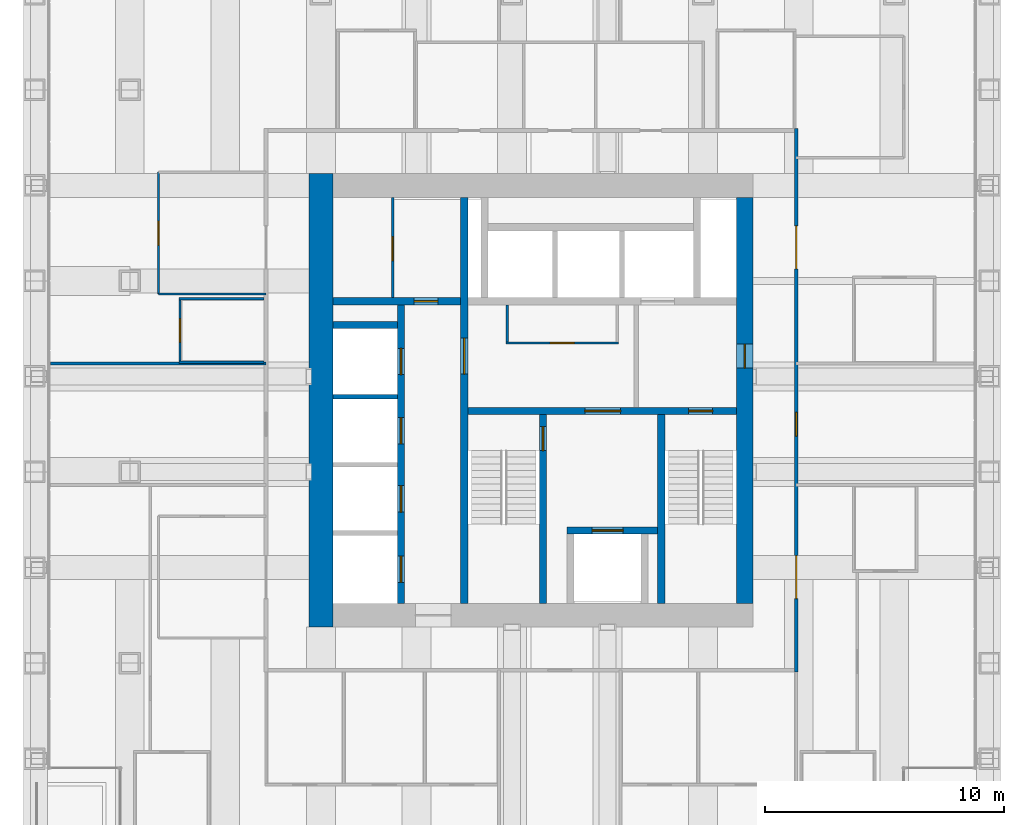
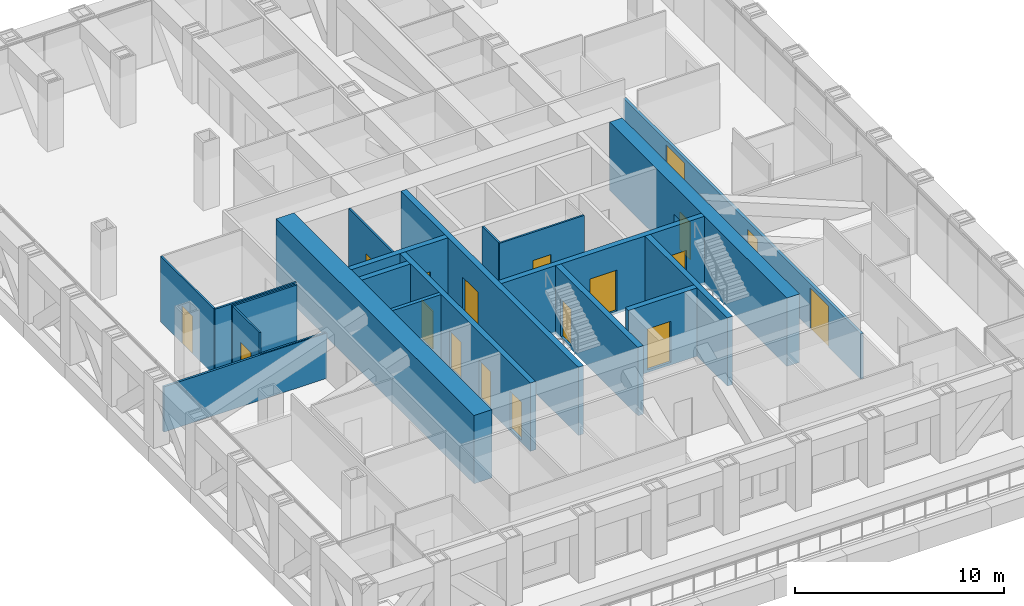
# One storey, part 11 of 16: 21 walls, 18 doors, 18 openings.
"""IFC4 building model written with IfcOpenShell, lengths in metres."""

from ifc_helpers import new_model, si_unit, direction, frame, frame_2d, origin, place, context, subcontext, project, spatial, rectangle, extrude, material, layer, layer_set, type_object, element, fill, save


model = new_model("IFC4")

# Units and contexts
model_context = context("Model", 3, precision=1e-05, world=origin(), true_north=direction((0.0, 1.0)))
body_context = subcontext(model_context, "Body", "Model", "MODEL_VIEW")
ifc_project = project(units=[si_unit("LENGTHUNIT", "METRE"), si_unit("AREAUNIT", "SQUARE_METRE"), si_unit("VOLUMEUNIT", "CUBIC_METRE"), si_unit("PLANEANGLEUNIT", "RADIAN"), si_unit("MASSUNIT", "GRAM", prefix="KILO")], contexts=[model_context])

# Site, building, storey
site_placement = place(None, origin())
site = spatial("IfcSite", under=ifc_project, at=site_placement, CompositionType="ELEMENT")
building_placement = place(site_placement, origin())
building = spatial("IfcBuilding", under=site, at=building_placement, Name="Rimbunsela Tower", CompositionType="ELEMENT")
storey_placement = place(building_placement, frame((0.0, 0.0, 171.800048828125)))
storey = spatial("IfcBuildingStorey", under=building, at=storey_placement, Name="L41", CompositionType="ELEMENT", Elevation=171.800048828125)

# Wall, opening, door
ifc_material_1 = material(Name="Concrete fc' 80 MPa", Category="concrete")
ifc_layer_1 = layer(ifc_material_1, 0.300048828125)
ifc_layer_set_1 = layer_set([ifc_layer_1], Name="Core internal wall 300")
wall_type_1 = type_object("IfcWallType", Name="Core internal wall 300", PredefinedType="SHEAR", material=ifc_layer_set_1)
wall_1_placement = place(storey_placement, frame((24.0, 18.5, -0.150146484375), z_axis=(0.0, 0.0, 1.0), x_axis=(0.0, 1.0, 0.0)))
wall_1 = element("IfcWall", 1, at=wall_1_placement, inside=storey, type_object=wall_type_1, Name="Core wall at stair A", PredefinedType="SHEAR", context=body_context, shape_type="SweptSolid", body=[
    extrude(rectangle(XDim=17.0, YDim=0.300048828125, at=frame_2d((8.5, 0.0))), origin(), (0.0, 0.0, 1.0), 4.0),
])
opening_1_placement = place(wall_1_placement, frame((9.60009765625, 0.0, 0.14990234375)))
opening_1 = element("IfcOpeningElement", 2, at=opening_1_placement, cuts=wall_1, Name="Opening D03", PredefinedType="OPENING", context=body_context, shape_type="SweptSolid", body=[
    extrude(rectangle(XDim=1.5, YDim=2.39990234375, at=frame_2d((0.75, 1.199951171875))), frame((0.0, 0.159912109375, 0.0), z_axis=(0.0, -1.0, 0.0), x_axis=(1.0, 0.0, 0.0)), (0.0, 0.0, 1.0), 0.320068359375),
])
ifc_material_2 = material(Name="Steel door, fire rated", Category="steel")
door_type_1 = type_object("IfcDoorType", Name="Core lobby door 1500", OperationType="DOUBLE_DOOR_DOUBLE_SWING", PredefinedType="DOOR", material=ifc_material_2)
door_1_placement = place(opening_1_placement, origin())
door_1 = element("IfcDoor", 3, at=door_1_placement, inside=storey, type_object=door_type_1, Name="West lobby door", OperationType="DOUBLE_DOOR_DOUBLE_SWING", OverallHeight=2.39990234375, OverallWidth=1.5, PredefinedType="DOOR", context=body_context, shape_type="SweptSolid", body=[
    extrude(rectangle(XDim=1.5, YDim=2.39990234375, at=frame_2d((0.75, 1.199951171875))), frame((0.0, 0.02490234375, 0.0), z_axis=(0.0, -1.0, 0.0), x_axis=(1.0, 0.0, 0.0)), (0.0, 0.0, 1.0), 0.050048828125),
])
fill(opening_1, door_1)

# Wall, openings, doors
wall_2_placement = place(storey_placement, frame((24.14990234375, 26.550048828125, -0.150146484375), z_axis=(0.0, 0.0, 1.0), x_axis=(1.0, 0.0, 0.0)))
wall_2 = element("IfcWall", 4, at=wall_2_placement, inside=storey, type_object=wall_type_1, Name="Core wall lobby south", PredefinedType="SHEAR", context=body_context, shape_type="SweptSolid", body=[
    extrude(rectangle(XDim=11.25, YDim=0.300048828125, at=frame_2d((5.625, 0.0))), origin(), (0.0, 0.0, 1.0), 4.0),
])
opening_2_placement = place(wall_2_placement, frame((9.25, 0.0, 0.14990234375)))
opening_2 = element("IfcOpeningElement", 5, at=opening_2_placement, cuts=wall_2, Name="Opening D01", PredefinedType="OPENING", context=body_context, shape_type="SweptSolid", body=[
    extrude(rectangle(XDim=1.0, YDim=2.199951171875, at=frame_2d((0.5, 1.10009765625))), frame((0.0, 0.159912109375, 0.0), z_axis=(0.0, -1.0, 0.0), x_axis=(1.0, 0.0, 0.0)), (0.0, 0.0, 1.0), 0.320068359375),
])
opening_3_placement = place(wall_2_placement, frame((4.89990234375, 0.0, 0.14990234375)))
opening_3 = element("IfcOpeningElement", 6, at=opening_3_placement, cuts=wall_2, Name="Opening D03", PredefinedType="OPENING", context=body_context, shape_type="SweptSolid", body=[
    extrude(rectangle(XDim=1.5, YDim=2.39990234375, at=frame_2d((0.75, 1.199951171875))), frame((0.0, 0.159912109375, 0.0), z_axis=(0.0, -1.0, 0.0), x_axis=(1.0, 0.0, 0.0)), (0.0, 0.0, 1.0), 0.320068359375),
])
door_2_placement = place(opening_3_placement, origin())
door_2 = element("IfcDoor", 7, at=door_2_placement, inside=storey, type_object=door_type_1, Name="Firefighting lobby door", OperationType="DOUBLE_DOOR_DOUBLE_SWING", OverallHeight=2.39990234375, OverallWidth=1.5, PredefinedType="DOOR", context=body_context, shape_type="SweptSolid", body=[
    extrude(rectangle(XDim=1.5, YDim=2.39990234375, at=frame_2d((0.75, 1.199951171875))), frame((0.0, 0.02490234375, 0.0), z_axis=(0.0, -1.0, 0.0), x_axis=(1.0, 0.0, 0.0)), (0.0, 0.0, 1.0), 0.050048828125),
])
fill(opening_3, door_2)
ifc_material_3 = material(Name="Steel door, fire rated", Category="steel")
door_type_2 = type_object("IfcDoorType", Name="Stair door 1000", OperationType="SINGLE_SWING_RIGHT", PredefinedType="DOOR", material=ifc_material_3)
door_3_placement = place(opening_2_placement, frame((1.0, 0.0, 0.0), z_axis=(0.0, 0.0, 1.0), x_axis=(-1.0, 0.0, 0.0)))
door_3 = element("IfcDoor", 8, at=door_3_placement, inside=storey, type_object=door_type_2, Name="Stair B door", OperationType="SINGLE_SWING_RIGHT", OverallHeight=2.199951171875, OverallWidth=1.0, PredefinedType="DOOR", context=body_context, shape_type="SweptSolid", body=[
    extrude(rectangle(XDim=1.0, YDim=2.199951171875, at=frame_2d((0.5, 1.10009765625))), frame((0.0, 0.02490234375, 0.0), z_axis=(0.0, -1.0, 0.0), x_axis=(1.0, 0.0, 0.0)), (0.0, 0.0, 1.0), 0.050048828125),
])
fill(opening_2, door_3)

# Wall, opening, door
wall_3_placement = place(storey_placement, frame((27.300048828125, 18.5, -0.150146484375), z_axis=(0.0, 0.0, 1.0), x_axis=(0.0, 1.0, 0.0)))
wall_3 = element("IfcWall", 9, at=wall_3_placement, inside=storey, type_object=wall_type_1, Name="Stair A enclosure", PredefinedType="SHEAR", context=body_context, shape_type="SweptSolid", body=[
    extrude(rectangle(XDim=7.89990234375, YDim=0.300048828125, at=frame_2d((3.949951171875, 0.0))), origin(), (0.0, 0.0, 1.0), 4.0),
])
opening_4_placement = place(wall_3_placement, frame((6.39990234375, 0.0, 0.14990234375)))
opening_4 = element("IfcOpeningElement", 10, at=opening_4_placement, cuts=wall_3, Name="Opening D01", PredefinedType="OPENING", context=body_context, shape_type="SweptSolid", body=[
    extrude(rectangle(XDim=1.0, YDim=2.199951171875, at=frame_2d((0.5, 1.10009765625))), frame((0.0, 0.159912109375, 0.0), z_axis=(0.0, -1.0, 0.0), x_axis=(1.0, 0.0, 0.0)), (0.0, 0.0, 1.0), 0.320068359375),
])
door_4_placement = place(opening_4_placement, origin())
door_4 = element("IfcDoor", 11, at=door_4_placement, inside=storey, type_object=door_type_2, Name="Stair A door", OperationType="SINGLE_SWING_RIGHT", OverallHeight=2.199951171875, OverallWidth=1.0, PredefinedType="DOOR", context=body_context, shape_type="SweptSolid", body=[
    extrude(rectangle(XDim=1.0, YDim=2.199951171875, at=frame_2d((0.5, 1.10009765625))), frame((0.0, 0.02490234375, 0.0), z_axis=(0.0, -1.0, 0.0), x_axis=(1.0, 0.0, 0.0)), (0.0, 0.0, 1.0), 0.050048828125),
])
fill(opening_4, door_4)

# Wall
wall_4_placement = place(storey_placement, frame((32.25, 18.5, -0.150146484375), z_axis=(0.0, 0.0, 1.0), x_axis=(0.0, 1.0, 0.0)))
element("IfcWall", 12, at=wall_4_placement, inside=storey, type_object=wall_type_1, Name="Stair B enclosure", PredefinedType="SHEAR", context=body_context, shape_type="SweptSolid", body=[
    extrude(rectangle(XDim=7.89990234375, YDim=0.300048828125, at=frame_2d((3.949951171875, 0.0))), origin(), (0.0, 0.0, 1.0), 4.0),
])

# Wall, opening, door
wall_5_placement = place(storey_placement, frame((28.300048828125, 21.550048828125, -0.150146484375), z_axis=(0.0, 0.0, 1.0), x_axis=(1.0, 0.0, 0.0)))
wall_5 = element("IfcWall", 13, at=wall_5_placement, inside=storey, type_object=wall_type_1, Name="Firefighting lift shaft front", PredefinedType="SHEAR", context=body_context, shape_type="SweptSolid", body=[
    extrude(rectangle(XDim=3.800048828125, YDim=0.300048828125, at=frame_2d((1.89990234375, 0.0))), origin(), (0.0, 0.0, 1.0), 4.0),
])
opening_5_placement = place(wall_5_placement, frame((1.050048828125, 0.0, 0.14990234375)))
opening_5 = element("IfcOpeningElement", 14, at=opening_5_placement, cuts=wall_5, Name="Opening LD2", PredefinedType="OPENING", context=body_context, shape_type="SweptSolid", body=[
    extrude(rectangle(XDim=1.300048828125, YDim=2.39990234375, at=frame_2d((0.64990234375, 1.199951171875))), frame((0.0, 0.159912109375, 0.0), z_axis=(0.0, -1.0, 0.0), x_axis=(1.0, 0.0, 0.0)), (0.0, 0.0, 1.0), 0.320068359375),
])
ifc_material_4 = material(Name="Steel door, fire rated", Category="steel")
door_type_3 = type_object("IfcDoorType", Name="Lift landing door 1300", OperationType="DOUBLE_DOOR_SLIDING", PredefinedType="DOOR", material=ifc_material_4)
door_5_placement = place(opening_5_placement, origin())
door_5 = element("IfcDoor", 15, at=door_5_placement, inside=storey, type_object=door_type_3, Name="Lift landing door FL1", OperationType="DOUBLE_DOOR_SLIDING", OverallHeight=2.39990234375, OverallWidth=1.300048828125, PredefinedType="DOOR", context=body_context, shape_type="SweptSolid", body=[
    extrude(rectangle(XDim=1.300048828125, YDim=2.39990234375, at=frame_2d((0.64990234375, 1.199951171875))), frame((0.0, 0.02490234375, 0.0), z_axis=(0.0, -1.0, 0.0), x_axis=(1.0, 0.0, 0.0)), (0.0, 0.0, 1.0), 0.050048828125),
])
fill(opening_5, door_5)

# Wall, openings, doors
wall_6_placement = place(storey_placement, frame((21.35009765625, 18.5, -0.150146484375), z_axis=(0.0, 0.0, 1.0), x_axis=(0.0, 1.0, 0.0)))
wall_6 = element("IfcWall", 16, at=wall_6_placement, inside=storey, type_object=wall_type_1, Name="Lift shaft front west", PredefinedType="SHEAR", context=body_context, shape_type="SweptSolid", body=[
    extrude(rectangle(XDim=12.5, YDim=0.300048828125, at=frame_2d((6.25, 0.0))), origin(), (0.0, 0.0, 1.0), 4.0),
])
opening_6_placement = place(wall_6_placement, frame((0.875, 0.0, 0.14990234375)))
opening_6 = element("IfcOpeningElement", 17, at=opening_6_placement, cuts=wall_6, Name="Opening LD1", PredefinedType="OPENING", context=body_context, shape_type="SweptSolid", body=[
    extrude(rectangle(XDim=1.10009765625, YDim=2.199951171875, at=frame_2d((0.550048828125, 1.10009765625))), frame((0.0, 0.159912109375, 0.0), z_axis=(0.0, -1.0, 0.0), x_axis=(1.0, 0.0, 0.0)), (0.0, 0.0, 1.0), 0.320068359375),
])
opening_7_placement = place(wall_6_placement, frame((3.824951171875, 0.0, 0.14990234375)))
opening_7 = element("IfcOpeningElement", 18, at=opening_7_placement, cuts=wall_6, Name="Opening LD1", PredefinedType="OPENING", context=body_context, shape_type="SweptSolid", body=[
    extrude(rectangle(XDim=1.10009765625, YDim=2.199951171875, at=frame_2d((0.550048828125, 1.10009765625))), frame((0.0, 0.159912109375, 0.0), z_axis=(0.0, -1.0, 0.0), x_axis=(1.0, 0.0, 0.0)), (0.0, 0.0, 1.0), 0.320068359375),
])
opening_8_placement = place(wall_6_placement, frame((6.675048828125, 0.0, 0.14990234375)))
opening_8 = element("IfcOpeningElement", 19, at=opening_8_placement, cuts=wall_6, Name="Opening LD1", PredefinedType="OPENING", context=body_context, shape_type="SweptSolid", body=[
    extrude(rectangle(XDim=1.10009765625, YDim=2.199951171875, at=frame_2d((0.550048828125, 1.10009765625))), frame((0.0, 0.159912109375, 0.0), z_axis=(0.0, -1.0, 0.0), x_axis=(1.0, 0.0, 0.0)), (0.0, 0.0, 1.0), 0.320068359375),
])
opening_9_placement = place(wall_6_placement, frame((9.574951171875, 0.0, 0.14990234375)))
opening_9 = element("IfcOpeningElement", 20, at=opening_9_placement, cuts=wall_6, Name="Opening LD1", PredefinedType="OPENING", context=body_context, shape_type="SweptSolid", body=[
    extrude(rectangle(XDim=1.10009765625, YDim=2.199951171875, at=frame_2d((0.550048828125, 1.10009765625))), frame((0.0, 0.159912109375, 0.0), z_axis=(0.0, -1.0, 0.0), x_axis=(1.0, 0.0, 0.0)), (0.0, 0.0, 1.0), 0.320068359375),
])
ifc_material_5 = material(Name="Steel door, fire rated", Category="steel")
door_type_4 = type_object("IfcDoorType", Name="Lift landing door 1100", OperationType="DOUBLE_DOOR_SLIDING", PredefinedType="DOOR", material=ifc_material_5)
door_6_placement = place(opening_6_placement, origin())
door_6 = element("IfcDoor", 21, at=door_6_placement, inside=storey, type_object=door_type_4, Name="Lift landing door HL1", OperationType="DOUBLE_DOOR_SLIDING", OverallHeight=2.199951171875, OverallWidth=1.10009765625, PredefinedType="DOOR", context=body_context, shape_type="SweptSolid", body=[
    extrude(rectangle(XDim=1.10009765625, YDim=2.199951171875, at=frame_2d((0.550048828125, 1.10009765625))), frame((0.0, 0.02490234375, 0.0), z_axis=(0.0, -1.0, 0.0), x_axis=(1.0, 0.0, 0.0)), (0.0, 0.0, 1.0), 0.050048828125),
])
fill(opening_6, door_6)
door_7_placement = place(opening_7_placement, origin())
door_7 = element("IfcDoor", 22, at=door_7_placement, inside=storey, type_object=door_type_4, Name="Lift landing door HL2", OperationType="DOUBLE_DOOR_SLIDING", OverallHeight=2.199951171875, OverallWidth=1.10009765625, PredefinedType="DOOR", context=body_context, shape_type="SweptSolid", body=[
    extrude(rectangle(XDim=1.10009765625, YDim=2.199951171875, at=frame_2d((0.550048828125, 1.10009765625))), frame((0.0, 0.02490234375, 0.0), z_axis=(0.0, -1.0, 0.0), x_axis=(1.0, 0.0, 0.0)), (0.0, 0.0, 1.0), 0.050048828125),
])
fill(opening_7, door_7)
door_8_placement = place(opening_8_placement, origin())
door_8 = element("IfcDoor", 23, at=door_8_placement, inside=storey, type_object=door_type_4, Name="Lift landing door HL3", OperationType="DOUBLE_DOOR_SLIDING", OverallHeight=2.199951171875, OverallWidth=1.10009765625, PredefinedType="DOOR", context=body_context, shape_type="SweptSolid", body=[
    extrude(rectangle(XDim=1.10009765625, YDim=2.199951171875, at=frame_2d((0.550048828125, 1.10009765625))), frame((0.0, 0.02490234375, 0.0), z_axis=(0.0, -1.0, 0.0), x_axis=(1.0, 0.0, 0.0)), (0.0, 0.0, 1.0), 0.050048828125),
])
fill(opening_8, door_8)
door_9_placement = place(opening_9_placement, origin())
door_9 = element("IfcDoor", 24, at=door_9_placement, inside=storey, type_object=door_type_4, Name="Lift landing door HL4", OperationType="DOUBLE_DOOR_SLIDING", OverallHeight=2.199951171875, OverallWidth=1.10009765625, PredefinedType="DOOR", context=body_context, shape_type="SweptSolid", body=[
    extrude(rectangle(XDim=1.10009765625, YDim=2.199951171875, at=frame_2d((0.550048828125, 1.10009765625))), frame((0.0, 0.02490234375, 0.0), z_axis=(0.0, -1.0, 0.0), x_axis=(1.0, 0.0, 0.0)), (0.0, 0.0, 1.0), 0.050048828125),
])
fill(opening_9, door_9)

# Wall, opening, door
wall_7_placement = place(storey_placement, frame((18.5, 31.14990234375, -0.150146484375), z_axis=(0.0, 0.0, 1.0), x_axis=(1.0, 0.0, 0.0)))
wall_7 = element("IfcWall", 25, at=wall_7_placement, inside=storey, type_object=wall_type_1, Name="Store wall", PredefinedType="SHEAR", context=body_context, shape_type="SweptSolid", body=[
    extrude(rectangle(XDim=5.35009765625, YDim=0.300048828125, at=frame_2d((2.675048828125, 0.0))), origin(), (0.0, 0.0, 1.0), 4.0),
])
opening_10_placement = place(wall_7_placement, frame((3.39990234375, 0.0, 0.14990234375)))
opening_10 = element("IfcOpeningElement", 26, at=opening_10_placement, cuts=wall_7, Name="Opening D19", PredefinedType="OPENING", context=body_context, shape_type="SweptSolid", body=[
    extrude(rectangle(XDim=1.0, YDim=2.199951171875, at=frame_2d((0.5, 1.10009765625))), frame((0.0, 0.159912109375, 0.0), z_axis=(0.0, -1.0, 0.0), x_axis=(1.0, 0.0, 0.0)), (0.0, 0.0, 1.0), 0.320068359375),
])
ifc_material_6 = material(Name="Steel door, fire rated", Category="steel")
door_type_5 = type_object("IfcDoorType", Name="Service door 1000 fire rated", OperationType="SINGLE_SWING_LEFT", PredefinedType="DOOR", material=ifc_material_6)
door_10_placement = place(opening_10_placement, origin())
door_10 = element("IfcDoor", 27, at=door_10_placement, inside=storey, type_object=door_type_5, Name="IT room door", OperationType="SINGLE_SWING_LEFT", OverallHeight=2.199951171875, OverallWidth=1.0, PredefinedType="DOOR", context=body_context, shape_type="SweptSolid", body=[
    extrude(rectangle(XDim=1.0, YDim=2.199951171875, at=frame_2d((0.5, 1.10009765625))), frame((0.0, 0.02490234375, 0.0), z_axis=(0.0, -1.0, 0.0), x_axis=(1.0, 0.0, 0.0)), (0.0, 0.0, 1.0), 0.050048828125),
])
fill(opening_10, door_10)

# Wall
wall_8_placement = place(storey_placement, frame((18.5, 30.14990234375, -0.150146484375), z_axis=(0.0, 0.0, 1.0), x_axis=(1.0, 0.0, 0.0)))
element("IfcWall", 28, at=wall_8_placement, inside=storey, type_object=wall_type_1, Name="Lift shaft rear west", PredefinedType="SHEAR", context=body_context, shape_type="SweptSolid", body=[
    extrude(rectangle(XDim=2.699951171875, YDim=0.300048828125, at=frame_2d((1.35009765625, 0.0))), origin(), (0.0, 0.0, 1.0), 4.0),
])

# Wall, opening, door
ifc_material_7 = material(Name="Concrete blockwork", Category="masonry")
ifc_layer_2 = layer(ifc_material_7, 0.10009765625)
ifc_layer_set_2 = layer_set([ifc_layer_2], Name="Core room partition 100")
wall_type_2 = type_object("IfcWallType", Name="Core room partition 100", PredefinedType="PARTITIONING", material=ifc_layer_set_2)
wall_9_placement = place(storey_placement, frame((21.0, 31.300048828125, 0.0), z_axis=(0.0, 0.0, 1.0), x_axis=(0.0, 1.0, 0.0)))
wall_9 = element("IfcWall", 29, at=wall_9_placement, inside=storey, type_object=wall_type_2, Name="Tenant store wall", PredefinedType="PARTITIONING", context=body_context, shape_type="SweptSolid", body=[
    extrude(rectangle(XDim=4.199951171875, YDim=0.10009765625, at=frame_2d((2.10009765625, 0.0))), origin(), (0.0, 0.0, 1.0), 3.849853515625),
])
opening_11_placement = place(wall_9_placement, frame((1.550048828125, 0.0, 0.0)))
opening_11 = element("IfcOpeningElement", 30, at=opening_11_placement, cuts=wall_9, Name="Opening D19", PredefinedType="OPENING", context=body_context, shape_type="SweptSolid", body=[
    extrude(rectangle(XDim=1.0, YDim=2.199951171875, at=frame_2d((0.5, 1.10009765625))), frame((0.0, 0.06005859375, 0.0), z_axis=(0.0, -1.0, 0.0), x_axis=(1.0, 0.0, 0.0)), (0.0, 0.0, 1.0), 0.1201171875),
])
door_11_placement = place(opening_11_placement, origin())
door_11 = element("IfcDoor", 31, at=door_11_placement, inside=storey, type_object=door_type_5, Name="Tenant store door", OperationType="SINGLE_SWING_LEFT", OverallHeight=2.199951171875, OverallWidth=1.0, PredefinedType="DOOR", context=body_context, shape_type="SweptSolid", body=[
    extrude(rectangle(XDim=1.0, YDim=2.199951171875, at=frame_2d((0.5, 1.10009765625))), frame((0.0, 0.02490234375, 0.0), z_axis=(0.0, -1.0, 0.0), x_axis=(1.0, 0.0, 0.0)), (0.0, 0.0, 1.0), 0.050048828125),
])
fill(opening_11, door_11)

wall_10_placement = place(storey_placement, frame((25.75, 29.39990234375, 0.0), z_axis=(0.0, 0.0, 1.0), x_axis=(1.0, 0.0, 0.0)))
wall_10 = element("IfcWall", 32, at=wall_10_placement, inside=storey, type_object=wall_type_2, Name="Lobby room wall", PredefinedType="PARTITIONING", context=body_context, shape_type="SweptSolid", body=[
    extrude(rectangle(XDim=4.699951171875, YDim=0.10009765625, at=frame_2d((2.35009765625, 0.0))), origin(), (0.0, 0.0, 1.0), 3.849853515625),
])
opening_12_placement = place(wall_10_placement, frame((1.85009765625, 0.0, 0.0)))
opening_12 = element("IfcOpeningElement", 33, at=opening_12_placement, cuts=wall_10, Name="Opening D19", PredefinedType="OPENING", context=body_context, shape_type="SweptSolid", body=[
    extrude(rectangle(XDim=1.0, YDim=2.199951171875, at=frame_2d((0.5, 1.10009765625))), frame((0.0, 0.06005859375, 0.0), z_axis=(0.0, -1.0, 0.0), x_axis=(1.0, 0.0, 0.0)), (0.0, 0.0, 1.0), 0.1201171875),
])
door_12_placement = place(opening_12_placement, origin())
door_12 = element("IfcDoor", 34, at=door_12_placement, inside=storey, type_object=door_type_5, Name="Staff pantry door", OperationType="SINGLE_SWING_LEFT", OverallHeight=2.199951171875, OverallWidth=1.0, PredefinedType="DOOR", context=body_context, shape_type="SweptSolid", body=[
    extrude(rectangle(XDim=1.0, YDim=2.199951171875, at=frame_2d((0.5, 1.10009765625))), frame((0.0, 0.02490234375, 0.0), z_axis=(0.0, -1.0, 0.0), x_axis=(1.0, 0.0, 0.0)), (0.0, 0.0, 1.0), 0.050048828125),
])
fill(opening_12, door_12)

# Walls
wall_11_placement = place(storey_placement, frame((25.800048828125, 29.449951171875, 0.0), z_axis=(0.0, 0.0, 1.0), x_axis=(0.0, 1.0, 0.0)))
element("IfcWall", 35, at=wall_11_placement, inside=storey, type_object=wall_type_2, Name="Lobby room wall", PredefinedType="PARTITIONING", context=body_context, shape_type="SweptSolid", body=[
    extrude(rectangle(XDim=1.550048828125, YDim=0.10009765625, at=frame_2d((0.77490234375, 0.0))), origin(), (0.0, 0.0, 1.0), 3.849853515625),
])
ifc_material_8 = material(Name="Concrete fc' 80 MPa", Category="concrete")
ifc_layer_3 = layer(ifc_material_8, 1.0)
ifc_layer_set_3 = layer_set([ifc_layer_3], Name="Core wall 1000")
wall_type_3 = type_object("IfcWallType", Name="Core wall 1000", PredefinedType="SHEAR", material=ifc_layer_set_3)
wall_12_placement = place(storey_placement, frame((18.0, 17.5, -0.150146484375), z_axis=(0.0, 0.0, 1.0), x_axis=(0.0, 1.0, 0.0)))
element("IfcWall", 36, at=wall_12_placement, inside=storey, type_object=wall_type_3, Name="Core wall west", PredefinedType="SHEAR", context=body_context, shape_type="SweptSolid", body=[
    extrude(rectangle(XDim=19.0, YDim=1.0, at=frame_2d((9.5, 0.0))), origin(), (0.0, 0.0, 1.0), 4.0),
])

# Wall, opening, door
ifc_material_9 = material(Name="Concrete fc' 80 MPa", Category="concrete")
ifc_layer_4 = layer(ifc_material_9, 0.699951171875)
ifc_layer_set_4 = layer_set([ifc_layer_4], Name="Core wall 700 east")
wall_type_4 = type_object("IfcWallType", Name="Core wall 700 east", PredefinedType="SHEAR", material=ifc_layer_set_4)
wall_13_placement = place(storey_placement, frame((35.75, 18.5, -0.150146484375), z_axis=(0.0, 0.0, 1.0), x_axis=(0.0, 1.0, 0.0)))
wall_13 = element("IfcWall", 37, at=wall_13_placement, inside=storey, type_object=wall_type_4, Name="Core wall east", PredefinedType="SHEAR", context=body_context, shape_type="SweptSolid", body=[
    extrude(rectangle(XDim=17.0, YDim=0.699951171875, at=frame_2d((8.5, 0.0))), origin(), (0.0, 0.0, 1.0), 4.0),
])
opening_13_placement = place(wall_13_placement, frame((9.85009765625, 0.0, 0.14990234375)))
opening_13 = element("IfcOpeningElement", 38, at=opening_13_placement, cuts=wall_13, Name="Opening D01", PredefinedType="OPENING", context=body_context, shape_type="SweptSolid", body=[
    extrude(rectangle(XDim=1.0, YDim=2.199951171875, at=frame_2d((0.5, 1.10009765625))), frame((0.0, 0.35986328125, 0.0), z_axis=(0.0, -1.0, 0.0), x_axis=(1.0, 0.0, 0.0)), (0.0, 0.0, 1.0), 0.719970703125),
])
door_13_placement = place(opening_13_placement, origin())
door_13 = element("IfcDoor", 39, at=door_13_placement, inside=storey, type_object=door_type_2, Name="Firefighting lobby 2 door", OperationType="SINGLE_SWING_RIGHT", OverallHeight=2.199951171875, OverallWidth=1.0, PredefinedType="DOOR", context=body_context, shape_type="SweptSolid", body=[
    extrude(rectangle(XDim=1.0, YDim=2.199951171875, at=frame_2d((0.5, 1.10009765625))), frame((0.0, 0.02490234375, 0.0), z_axis=(0.0, -1.0, 0.0), x_axis=(1.0, 0.0, 0.0)), (0.0, 0.0, 1.0), 0.050048828125),
])
fill(opening_13, door_13)

# Walls
ifc_material_10 = material(Name="Concrete blockwork", Category="masonry")
ifc_layer_5 = layer(ifc_material_10, 0.199951171875)
ifc_layer_set_5 = layer_set([ifc_layer_5], Name="Lift shaft wall 200")
wall_type_5 = type_object("IfcWallType", Name="Lift shaft wall 200", PredefinedType="SOLIDWALL", material=ifc_layer_set_5)
wall_14_placement = place(storey_placement, frame((18.5, 27.14990234375, -0.150146484375), z_axis=(0.0, 0.0, 1.0), x_axis=(1.0, 0.0, 0.0)))
element("IfcWall", 40, at=wall_14_placement, inside=storey, type_object=wall_type_5, Name="Lift shaft separation", PredefinedType="SOLIDWALL", context=body_context, shape_type="SweptSolid", body=[
    extrude(rectangle(XDim=2.699951171875, YDim=0.199951171875, at=frame_2d((1.35009765625, 0.0))), origin(), (0.0, 0.0, 1.0), 4.0),
])
ifc_material_11 = material(Name="Gypsum board on steel studs", Category="steel")
ifc_layer_6 = layer(ifc_material_11, 0.10009765625)
ifc_layer_set_6 = layer_set([ifc_layer_6], Name="Office partition 100")
wall_type_6 = type_object("IfcWallType", Name="Office partition 100", PredefinedType="PARTITIONING", material=ifc_layer_set_6)
wall_15_placement = place(storey_placement, frame((12.050048828125, 28.60009765625, 0.0), z_axis=(0.0, 0.0, 1.0), x_axis=(1.0, 0.0, 0.0)))
element("IfcWall", 41, at=wall_15_placement, inside=storey, type_object=wall_type_6, Name="Office partition", PredefinedType="PARTITIONING", context=body_context, shape_type="SweptSolid", body=[
    extrude(rectangle(XDim=3.574951171875, YDim=0.10009765625, at=frame_2d((1.78759765625, 0.0))), origin(), (0.0, 0.0, 1.0), 2.64990234375),
])
wall_16_placement = place(storey_placement, frame((12.050048828125, 31.25, 0.0), z_axis=(0.0, 0.0, 1.0), x_axis=(1.0, 0.0, 0.0)))
element("IfcWall", 42, at=wall_16_placement, inside=storey, type_object=wall_type_6, Name="Office partition", PredefinedType="PARTITIONING", context=body_context, shape_type="SweptSolid", body=[
    extrude(rectangle(XDim=3.574951171875, YDim=0.10009765625, at=frame_2d((1.78759765625, 0.0))), origin(), (0.0, 0.0, 1.0), 3.849853515625),
])

# Wall, opening, door
wall_17_placement = place(storey_placement, frame((12.10009765625, 28.64990234375, 0.0), z_axis=(0.0, 0.0, 1.0), x_axis=(0.0, 1.0, 0.0)))
wall_17 = element("IfcWall", 43, at=wall_17_placement, inside=storey, type_object=wall_type_6, Name="Office partition", PredefinedType="PARTITIONING", context=body_context, shape_type="SweptSolid", body=[
    extrude(rectangle(XDim=2.550048828125, YDim=0.10009765625, at=frame_2d((1.27490234375, 0.0))), origin(), (0.0, 0.0, 1.0), 3.849853515625),
])
opening_14_placement = place(wall_17_placement, frame((0.77490234375, 0.0, 0.0)))
opening_14 = element("IfcOpeningElement", 44, at=opening_14_placement, cuts=wall_17, Name="Opening D16", PredefinedType="OPENING", context=body_context, shape_type="SweptSolid", body=[
    extrude(rectangle(XDim=1.0, YDim=2.199951171875, at=frame_2d((0.5, 1.10009765625))), frame((0.0, 0.06005859375, 0.0), z_axis=(0.0, -1.0, 0.0), x_axis=(1.0, 0.0, 0.0)), (0.0, 0.0, 1.0), 0.1201171875),
])
ifc_material_12 = material(Name="Timber door", Category="wood")
door_type_6 = type_object("IfcDoorType", Name="Office door 1000", OperationType="SINGLE_SWING_LEFT", PredefinedType="DOOR", material=ifc_material_12)
door_14_placement = place(opening_14_placement, origin())
door_14 = element("IfcDoor", 45, at=door_14_placement, inside=storey, type_object=door_type_6, Name="Office door", OperationType="SINGLE_SWING_LEFT", OverallHeight=2.199951171875, OverallWidth=1.0, PredefinedType="DOOR", context=body_context, shape_type="SweptSolid", body=[
    extrude(rectangle(XDim=1.0, YDim=2.199951171875, at=frame_2d((0.5, 1.10009765625))), frame((0.0, 0.02490234375, 0.0), z_axis=(0.0, -1.0, 0.0), x_axis=(1.0, 0.0, 0.0)), (0.0, 0.0, 1.0), 0.050048828125),
])
fill(opening_14, door_14)

wall_18_placement = place(storey_placement, frame((11.199951171875, 36.551025390625, 0.0), z_axis=(0.0, 0.0, 1.0), x_axis=(0.0, -1.0, 0.0)))
wall_18 = element("IfcWall", 46, at=wall_18_placement, inside=storey, type_object=wall_type_6, Name="Office partition", PredefinedType="PARTITIONING", context=body_context, shape_type="SweptSolid", body=[
    extrude(rectangle(XDim=5.10009765625, YDim=0.10009765625, at=frame_2d((2.550048828125, 0.0))), origin(), (0.0, 0.0, 1.0), 3.849853515625),
])
opening_15_placement = place(wall_18_placement, frame((2.050048828125, 0.0, 0.0)))
opening_15 = element("IfcOpeningElement", 47, at=opening_15_placement, cuts=wall_18, Name="Opening D17", PredefinedType="OPENING", context=body_context, shape_type="SweptSolid", body=[
    extrude(rectangle(XDim=1.0, YDim=2.199951171875, at=frame_2d((0.5, 1.10009765625))), frame((0.0, 0.06005859375, 0.0), z_axis=(0.0, -1.0, 0.0), x_axis=(1.0, 0.0, 0.0)), (0.0, 0.0, 1.0), 0.1201171875),
])
ifc_material_13 = material(Name="Glazed aluminium door", Category="aluminium")
door_type_7 = type_object("IfcDoorType", Name="Meeting room door 1000 glazed", OperationType="SINGLE_SWING_RIGHT", PredefinedType="DOOR", material=ifc_material_13)
door_15_placement = place(opening_15_placement, origin())
door_15 = element("IfcDoor", 48, at=door_15_placement, inside=storey, type_object=door_type_7, Name="Reception door", OperationType="SINGLE_SWING_RIGHT", OverallHeight=2.199951171875, OverallWidth=1.0, PredefinedType="DOOR", context=body_context, shape_type="SweptSolid", body=[
    extrude(rectangle(XDim=1.0, YDim=2.199951171875, at=frame_2d((0.5, 1.10009765625))), frame((0.0, 0.02490234375, 0.0), z_axis=(0.0, -1.0, 0.0), x_axis=(1.0, 0.0, 0.0)), (0.0, 0.0, 1.0), 0.050048828125),
])
fill(opening_15, door_15)

# Wall
wall_19_placement = place(storey_placement, frame((11.199951171875, 31.450927734375, 0.0), z_axis=(0.0, 0.0, 1.0), x_axis=(1.0, 0.0, 0.0)))
element("IfcWall", 49, at=wall_19_placement, inside=storey, type_object=wall_type_6, Name="Office partition", PredefinedType="PARTITIONING", context=body_context, shape_type="SweptSolid", body=[
    extrude(rectangle(XDim=4.5, YDim=0.10009765625, at=frame_2d((2.25, 0.0))), origin(), (0.0, 0.0, 1.0), 3.849853515625),
])

# Wall, openings, doors
ifc_material_14 = material(Name="Fire-rated gypsum board on steel studs, EI 60", Category="steel")
ifc_layer_7 = layer(ifc_material_14, 0.14990234375)
ifc_layer_set_7 = layer_set([ifc_layer_7], Name="Rated corridor wall 150")
wall_type_7 = type_object("IfcWallType", Name="Rated corridor wall 150", PredefinedType="PARTITIONING", material=ifc_layer_set_7)
wall_20_placement = place(storey_placement, frame((37.89990234375, 15.625, 0.0), z_axis=(0.0, 0.0, 1.0), x_axis=(0.0, 1.0, 0.0)))
wall_20 = element("IfcWall", 50, at=wall_20_placement, inside=storey, type_object=wall_type_7, Name="Corridor wall east", PredefinedType="PARTITIONING", context=body_context, shape_type="SweptSolid", body=[
    extrude(rectangle(XDim=22.75, YDim=0.14990234375, at=frame_2d((11.375, 0.0))), origin(), (0.0, 0.0, 1.0), 2.64990234375),
])
opening_16_placement = place(wall_20_placement, frame((3.073974609375, 0.0, 0.0)))
opening_16 = element("IfcOpeningElement", 51, at=opening_16_placement, cuts=wall_20, Name="Opening D09", PredefinedType="OPENING", context=body_context, shape_type="SweptSolid", body=[
    extrude(rectangle(XDim=1.800048828125, YDim=2.39990234375, at=frame_2d((0.89990234375, 1.199951171875))), frame((0.0, 0.0849609375, 0.0), z_axis=(0.0, -1.0, 0.0), x_axis=(1.0, 0.0, 0.0)), (0.0, 0.0, 1.0), 0.169921875),
])
opening_17_placement = place(wall_20_placement, frame((16.8759765625, 0.0, 0.0)))
opening_17 = element("IfcOpeningElement", 52, at=opening_17_placement, cuts=wall_20, Name="Opening D09", PredefinedType="OPENING", context=body_context, shape_type="SweptSolid", body=[
    extrude(rectangle(XDim=1.800048828125, YDim=2.39990234375, at=frame_2d((0.89990234375, 1.199951171875))), frame((0.0, 0.0849609375, 0.0), z_axis=(0.0, -1.0, 0.0), x_axis=(1.0, 0.0, 0.0)), (0.0, 0.0, 1.0), 0.169921875),
])
opening_18_placement = place(wall_20_placement, frame((9.875, 0.0, 0.0)))
opening_18 = element("IfcOpeningElement", 53, at=opening_18_placement, cuts=wall_20, Name="Opening D19", PredefinedType="OPENING", context=body_context, shape_type="SweptSolid", body=[
    extrude(rectangle(XDim=1.0, YDim=2.199951171875, at=frame_2d((0.5, 1.10009765625))), frame((0.0, 0.0849609375, 0.0), z_axis=(0.0, -1.0, 0.0), x_axis=(1.0, 0.0, 0.0)), (0.0, 0.0, 1.0), 0.169921875),
])
door_16_placement = place(opening_18_placement, origin())
door_16 = element("IfcDoor", 54, at=door_16_placement, inside=storey, type_object=door_type_5, Name="Service chase access door", OperationType="SINGLE_SWING_LEFT", OverallHeight=2.199951171875, OverallWidth=1.0, PredefinedType="DOOR", context=body_context, shape_type="SweptSolid", body=[
    extrude(rectangle(XDim=1.0, YDim=2.199951171875, at=frame_2d((0.5, 1.10009765625))), frame((0.0, 0.02490234375, 0.0), z_axis=(0.0, -1.0, 0.0), x_axis=(1.0, 0.0, 0.0)), (0.0, 0.0, 1.0), 0.050048828125),
])
fill(opening_18, door_16)
ifc_material_15 = material(Name="Glazed aluminium door, fire rated", Category="aluminium")
door_type_8 = type_object("IfcDoorType", Name="Tenancy door 1800 glazed", OperationType="DOUBLE_DOOR_DOUBLE_SWING", PredefinedType="DOOR", material=ifc_material_15)
door_17_placement = place(opening_16_placement, origin())
door_17 = element("IfcDoor", 55, at=door_17_placement, inside=storey, type_object=door_type_8, Name="Tenancy door", OperationType="DOUBLE_DOOR_DOUBLE_SWING", OverallHeight=2.39990234375, OverallWidth=1.800048828125, PredefinedType="DOOR", context=body_context, shape_type="SweptSolid", body=[
    extrude(rectangle(XDim=1.800048828125, YDim=2.39990234375, at=frame_2d((0.89990234375, 1.199951171875))), frame((0.0, 0.02490234375, 0.0), z_axis=(0.0, -1.0, 0.0), x_axis=(1.0, 0.0, 0.0)), (0.0, 0.0, 1.0), 0.050048828125),
])
fill(opening_16, door_17)
door_18_placement = place(opening_17_placement, origin())
door_18 = element("IfcDoor", 56, at=door_18_placement, inside=storey, type_object=door_type_8, Name="Tenancy door", OperationType="DOUBLE_DOOR_DOUBLE_SWING", OverallHeight=2.39990234375, OverallWidth=1.800048828125, PredefinedType="DOOR", context=body_context, shape_type="SweptSolid", body=[
    extrude(rectangle(XDim=1.800048828125, YDim=2.39990234375, at=frame_2d((0.89990234375, 1.199951171875))), frame((0.0, 0.02490234375, 0.0), z_axis=(0.0, -1.0, 0.0), x_axis=(1.0, 0.0, 0.0)), (0.0, 0.0, 1.0), 0.050048828125),
])
fill(opening_17, door_18)

# Wall
ifc_material_16 = material(Name="Gypsum board on steel studs", Category="steel")
ifc_layer_8 = layer(ifc_material_16, 0.1201171875)
ifc_layer_set_8 = layer_set([ifc_layer_8], Name="Tenancy partition 120")
wall_type_8 = type_object("IfcWallType", Name="Tenancy partition 120", PredefinedType="PARTITIONING", material=ifc_layer_set_8)
wall_21_placement = place(storey_placement, frame((6.679931640625, 28.550048828125, 0.0), z_axis=(0.0, 0.0, 1.0), x_axis=(1.0, 0.0, 0.0)))
element("IfcWall", 57, at=wall_21_placement, inside=storey, type_object=wall_type_8, Name="Tenancy partition", PredefinedType="PARTITIONING", context=body_context, shape_type="SweptSolid", body=[
    extrude(rectangle(XDim=9.02001953125, YDim=0.1201171875, at=frame_2d((4.510009765625, 0.0))), origin(), (0.0, 0.0, 1.0), 2.64990234375),
])

save(model, "model.ifc")
